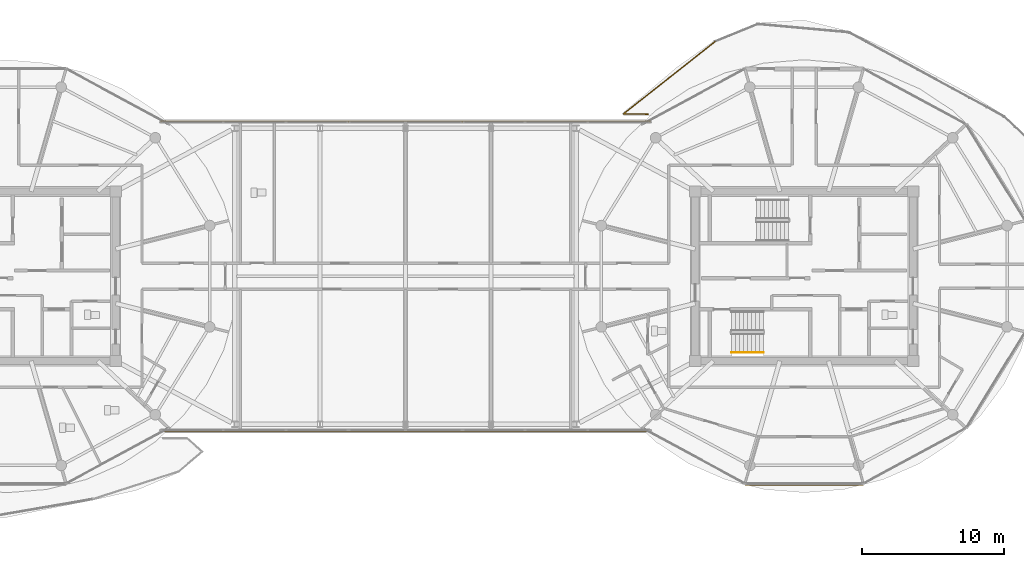
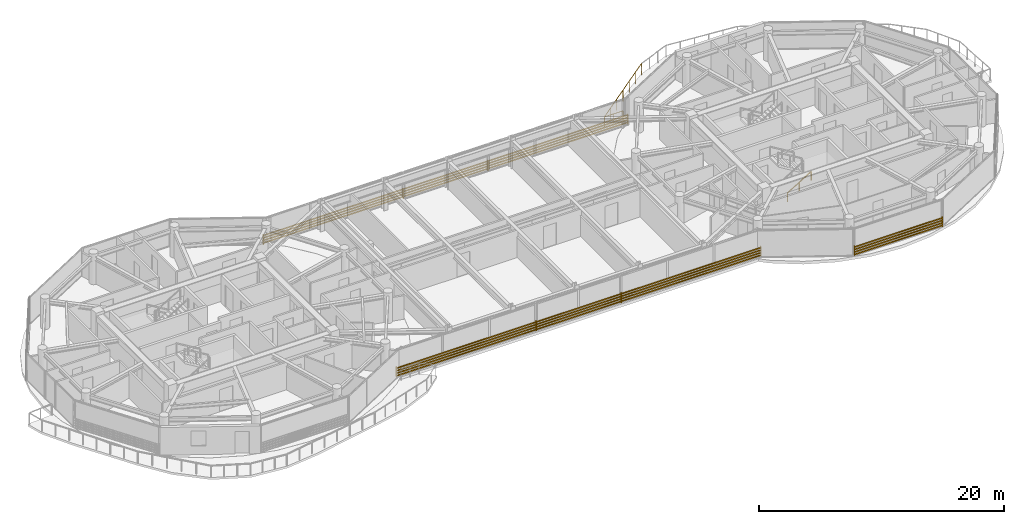
# One storey, part 22 of 24: 7 shading devices, 2 railings.
"""IFC4 building model written with IfcOpenShell, lengths in metres."""

from ifc_helpers import new_model, si_unit, direction, frame, origin, origin_2d, place, context, subcontext, project, spatial, rectangle, extrude, source, transform, mapped, material, type_object, type_shapes, element, save


model = new_model("IFC4")

# Units and contexts
model_context = context("Model", 3, precision=1e-05, world=origin(), true_north=direction((0.0, 1.0)))
body_context = subcontext(model_context, "Body", "Model", "MODEL_VIEW")
ifc_project = project(units=[si_unit("LENGTHUNIT", "METRE"), si_unit("AREAUNIT", "SQUARE_METRE"), si_unit("VOLUMEUNIT", "CUBIC_METRE"), si_unit("PLANEANGLEUNIT", "RADIAN"), si_unit("MASSUNIT", "GRAM", prefix="KILO")], contexts=[model_context])

# Site, building, storey
site_placement = place(None, origin())
site = spatial("IfcSite", under=ifc_project, at=site_placement, CompositionType="ELEMENT")
building_placement = place(site_placement, origin())
building = spatial("IfcBuilding", under=site, at=building_placement, Name="Norrkilde Senior Care Towers", CompositionType="ELEMENT")
storey_placement = place(building_placement, frame((0.0, 0.0, 226.10009765625)))
storey = spatial("IfcBuildingStorey", under=building, at=storey_placement, Name="L70", CompositionType="ELEMENT", Elevation=226.10009765625)

# Railings
ifc_material_1 = material(Name="Anodised Aluminium", Category="aluminium")
railing_type_1 = type_object("IfcRailingType", Name="Balcony Swirl Ribbon Guardrail 1150", PredefinedType="GUARDRAIL", material=ifc_material_1)
railing_1_placement = place(storey_placement, frame((17.04248046875, 11.3798828125, 0.0)))
element("IfcRailing", 1, at=railing_1_placement, inside=storey, type_object=railing_type_1, Name="L70 Perimeter Safety Guard 02", PredefinedType="GUARDRAIL", context=body_context, shape_type="SweptSolid", body=[
    extrude(rectangle(XDim=0.048095703125, YDim=0.048095703125, at=origin_2d()), frame((0.0, 0.0, 1.1259765625), z_axis=(-0.999868740556, 0.01620190294, 0.0), x_axis=(-0.01620190294, -0.999868740556, 0.0)), (0.0, 0.0, 1.0), 1.69189453125),
    extrude(rectangle(XDim=0.048095703125, YDim=0.048095703125, at=origin_2d()), frame((-1.70068359375, 0.053466796875, 1.1259765625), z_axis=(0.784789496126, 0.61976241155, 0.0), x_axis=(-0.61976241155, 0.784789496126, 0.0)), (0.0, 0.0, 1.0), 8.13427734375),
    extrude(rectangle(XDim=0.0419921875, YDim=0.0419921875, at=origin_2d()), origin(), (0.0, 0.0, 1.0), 1.099853515625),
    extrude(rectangle(XDim=0.0419921875, YDim=0.0419921875, at=origin_2d()), frame((-0.8662109375, 0.01416015625, 0.0)), (0.0, 0.0, 1.0), 1.099853515625),
    extrude(rectangle(XDim=0.0419921875, YDim=0.0419921875, at=origin_2d()), frame((-1.732666015625, 0.028076171875, 0.0)), (0.0, 0.0, 1.0), 1.099853515625),
    extrude(rectangle(XDim=0.0419921875, YDim=0.0419921875, at=origin_2d()), frame((-0.663330078125, 0.87255859375, 0.0)), (0.0, 0.0, 1.0), 1.099853515625),
    extrude(rectangle(XDim=0.0419921875, YDim=0.0419921875, at=origin_2d()), frame((0.406005859375, 1.717041015625, 0.0)), (0.0, 0.0, 1.0), 1.099853515625),
    extrude(rectangle(XDim=0.0419921875, YDim=0.0419921875, at=origin_2d()), frame((1.47509765625, 2.5615234375, 0.0)), (0.0, 0.0, 1.0), 1.099853515625),
    extrude(rectangle(XDim=0.0419921875, YDim=0.0419921875, at=origin_2d()), frame((2.54443359375, 3.40576171875, 0.0)), (0.0, 0.0, 1.0), 1.099853515625),
    extrude(rectangle(XDim=0.0419921875, YDim=0.0419921875, at=origin_2d()), frame((3.61376953125, 4.250244140625, 0.0)), (0.0, 0.0, 1.0), 1.099853515625),
    extrude(rectangle(XDim=0.0419921875, YDim=0.0419921875, at=origin_2d()), frame((4.68310546875, 5.0947265625, 0.0)), (0.0, 0.0, 1.0), 1.099853515625),
])
ifc_material_2 = material(Name="Nordic Ash Timber", Category="wood")
railing_type_2 = type_object("IfcRailingType", Name="Wall and Stair Handrail 900", PredefinedType="HANDRAIL", material=ifc_material_2)
railing_2_placement = place(storey_placement, frame((22.89990234375, -5.35009765625, 0.16943359375)))
element("IfcRailing", 2, at=railing_2_placement, inside=storey, type_object=railing_type_2, Name="L70 ST-E2 stair handrail 1", PredefinedType="HANDRAIL", context=body_context, shape_type="SweptSolid", body=[
    extrude(rectangle(XDim=0.048095703125, YDim=0.048095703125, at=origin_2d()), frame((0.0, 0.0, 0.8759765625), z_axis=(0.855553338991, 0.0, 0.51771467445), x_axis=(0.0, 1.0, 0.0)), (0.0, 0.0, 1.0), 2.6181640625),
    extrude(rectangle(XDim=0.0419921875, YDim=0.0419921875, at=origin_2d()), origin(), (0.0, 0.0, 1.0), 0.849853515625),
    extrude(rectangle(XDim=0.0419921875, YDim=0.0419921875, at=origin_2d()), frame((1.1201171875, 0.0, 0.677734375)), (0.0, 0.0, 1.0), 0.849853515625),
    extrude(rectangle(XDim=0.0419921875, YDim=0.0419921875, at=origin_2d()), frame((2.239990234375, 0.0, 1.35546875)), (0.0, 0.0, 1.0), 0.849853515625),
])

# Shading devices
ifc_material_3 = material(Name="Architectural Terracotta", Category="masonry")
shading_device_type = type_object("IfcShadingDeviceType", Name="Horizontal Terracotta Baguette Rack", PredefinedType="USERDEFINED", material=ifc_material_3)
shared_shape_1 = source(origin(), body_context, "Body", "SweptSolid", [
    extrude(rectangle(XDim=0.070068359375, YDim=0.110107421875, at=origin_2d()), frame((0.0, 0.090087890625, 0.125), z_axis=(1.0, 0.0, 0.0), x_axis=(0.0, 1.0, 0.0)), (0.0, 0.0, 1.0), 8.32373046875),
    extrude(rectangle(XDim=0.070068359375, YDim=0.110107421875, at=origin_2d()), frame((0.0, 0.090087890625, 0.375), z_axis=(1.0, 0.0, 0.0), x_axis=(0.0, 1.0, 0.0)), (0.0, 0.0, 1.0), 8.32373046875),
    extrude(rectangle(XDim=0.070068359375, YDim=0.110107421875, at=origin_2d()), frame((0.0, 0.090087890625, 0.625), z_axis=(1.0, 0.0, 0.0), x_axis=(0.0, 1.0, 0.0)), (0.0, 0.0, 1.0), 8.32373046875),
    extrude(rectangle(XDim=0.070068359375, YDim=0.110107421875, at=origin_2d()), frame((0.0, 0.090087890625, 0.875), z_axis=(1.0, 0.0, 0.0), x_axis=(0.0, 1.0, 0.0)), (0.0, 0.0, 1.0), 8.32373046875),
    extrude(rectangle(XDim=0.050048828125, YDim=0.1552734375, at=origin_2d()), frame((0.02490234375, 0.047607421875, 0.0)), (0.0, 0.0, 1.0), 1.0),
    extrude(rectangle(XDim=0.050048828125, YDim=0.1552734375, at=origin_2d()), frame((8.298828125, 0.047607421875, 0.0)), (0.0, 0.0, 1.0), 1.0),
])
shading_device_placement = place(storey_placement, frame((32.161865234375, -14.566162109375, 0.079833984375), z_axis=(0.0, 0.0, 1.0), x_axis=(-1.0, 0.0, 0.0)))
element("IfcShadingDevice", 3, at=shading_device_placement, inside=storey, type_object=shading_device_type, Name="L70 Drum E Terracotta Baguette Screen 08", ObjectType="BAGUETTE", PredefinedType="USERDEFINED", context=body_context, shape_type="MappedRepresentation", body=[
    mapped(shared_shape_1, transform((0.0, 0.0, 0.0), x_axis=(1.0, 0.0, 0.0), y_axis=(0.0, 1.0, 0.0), z_axis=(0.0, 0.0, 1.0), scale=1.0)),
])
shared_shape_2 = source(origin(), body_context, "Body", "SweptSolid", [
    extrude(rectangle(XDim=0.070068359375, YDim=0.110107421875, at=origin_2d()), frame((0.0, 0.090087890625, 0.125), z_axis=(1.0, 0.0, 0.0), x_axis=(0.0, 1.0, 0.0)), (0.0, 0.0, 1.0), 13.199951171875),
    extrude(rectangle(XDim=0.070068359375, YDim=0.110107421875, at=origin_2d()), frame((0.0, 0.090087890625, 0.375), z_axis=(1.0, 0.0, 0.0), x_axis=(0.0, 1.0, 0.0)), (0.0, 0.0, 1.0), 13.199951171875),
    extrude(rectangle(XDim=0.070068359375, YDim=0.110107421875, at=origin_2d()), frame((0.0, 0.090087890625, 0.625), z_axis=(1.0, 0.0, 0.0), x_axis=(0.0, 1.0, 0.0)), (0.0, 0.0, 1.0), 13.199951171875),
    extrude(rectangle(XDim=0.070068359375, YDim=0.110107421875, at=origin_2d()), frame((0.0, 0.090087890625, 0.875), z_axis=(1.0, 0.0, 0.0), x_axis=(0.0, 1.0, 0.0)), (0.0, 0.0, 1.0), 13.199951171875),
    extrude(rectangle(XDim=0.050048828125, YDim=0.1552734375, at=origin_2d()), frame((0.02490234375, 0.047607421875, 0.0)), (0.0, 0.0, 1.0), 1.0),
    extrude(rectangle(XDim=0.050048828125, YDim=0.1552734375, at=origin_2d()), frame((13.1748046875, 0.047607421875, 0.0)), (0.0, 0.0, 1.0), 1.0),
])
for number, where, z_axis, x_axis, name in (
    (4, (-17.199951171875, 10.820068359375, 0.079833984375), (0.0, 0.0, 1.0), (1.0, 0.0, 0.0), "L70 Bridge North Baguette Screen 1"),
    (5, (4.0, 10.820068359375, 0.079833984375), (0.0, 0.0, 1.0), (1.0, 0.0, 0.0), "L70 Bridge North Baguette Screen 3"),
    (6, (17.199951171875, -10.820068359375, 0.079833984375), (0.0, 0.0, 1.0), (-1.0, 0.0, 0.0), "L70 Bridge South Baguette Screen 1"),
    (7, (-4.0, -10.820068359375, 0.079833984375), (0.0, 0.0, 1.0), (-1.0, 0.0, 0.0), "L70 Bridge South Baguette Screen 3"),
):
    element("IfcShadingDevice", number, at=place(storey_placement, frame(where, z_axis=z_axis, x_axis=x_axis)), inside=storey, type_object=shading_device_type, Name=name, ObjectType="BAGUETTE", PredefinedType="USERDEFINED", context=body_context, shape_type="MappedRepresentation", body=[
        mapped(shared_shape_2, transform((0.0, 0.0, 0.0), x_axis=(1.0, 0.0, 0.0), y_axis=(0.0, 1.0, 0.0), z_axis=(0.0, 0.0, 1.0), scale=1.0)),
    ])
shared_shape_3 = source(origin(), body_context, "Body", "SweptSolid", [
    extrude(rectangle(XDim=0.070068359375, YDim=0.110107421875, at=origin_2d()), frame((0.0, 0.090087890625, 0.125), z_axis=(1.0, 0.0, 0.0), x_axis=(0.0, 1.0, 0.0)), (0.0, 0.0, 1.0), 8.0),
    extrude(rectangle(XDim=0.070068359375, YDim=0.110107421875, at=origin_2d()), frame((0.0, 0.090087890625, 0.375), z_axis=(1.0, 0.0, 0.0), x_axis=(0.0, 1.0, 0.0)), (0.0, 0.0, 1.0), 8.0),
    extrude(rectangle(XDim=0.070068359375, YDim=0.110107421875, at=origin_2d()), frame((0.0, 0.090087890625, 0.625), z_axis=(1.0, 0.0, 0.0), x_axis=(0.0, 1.0, 0.0)), (0.0, 0.0, 1.0), 8.0),
    extrude(rectangle(XDim=0.070068359375, YDim=0.110107421875, at=origin_2d()), frame((0.0, 0.090087890625, 0.875), z_axis=(1.0, 0.0, 0.0), x_axis=(0.0, 1.0, 0.0)), (0.0, 0.0, 1.0), 8.0),
    extrude(rectangle(XDim=0.050048828125, YDim=0.1552734375, at=origin_2d()), frame((0.02490234375, 0.047607421875, 0.0)), (0.0, 0.0, 1.0), 1.0),
    extrude(rectangle(XDim=0.050048828125, YDim=0.1552734375, at=origin_2d()), frame((7.97509765625, 0.047607421875, 0.0)), (0.0, 0.0, 1.0), 1.0),
])
type_shapes(shading_device_type, [shared_shape_1, shared_shape_2, shared_shape_3])
for number, where, z_axis, x_axis, name in (
    (8, (-4.0, 10.820068359375, 0.079833984375), (0.0, 0.0, 1.0), (1.0, 0.0, 0.0), "L70 Bridge North Baguette Screen 2"),
    (9, (4.0, -10.820068359375, 0.079833984375), (0.0, 0.0, 1.0), (-1.0, 0.0, 0.0), "L70 Bridge South Baguette Screen 2"),
):
    element("IfcShadingDevice", number, at=place(storey_placement, frame(where, z_axis=z_axis, x_axis=x_axis)), inside=storey, type_object=shading_device_type, Name=name, ObjectType="BAGUETTE", PredefinedType="USERDEFINED", context=body_context, shape_type="MappedRepresentation", body=[
        mapped(shared_shape_3, transform((0.0, 0.0, 0.0), x_axis=(1.0, 0.0, 0.0), y_axis=(0.0, 1.0, 0.0), z_axis=(0.0, 0.0, 1.0), scale=1.0)),
    ])

save(model, "model.ifc")
